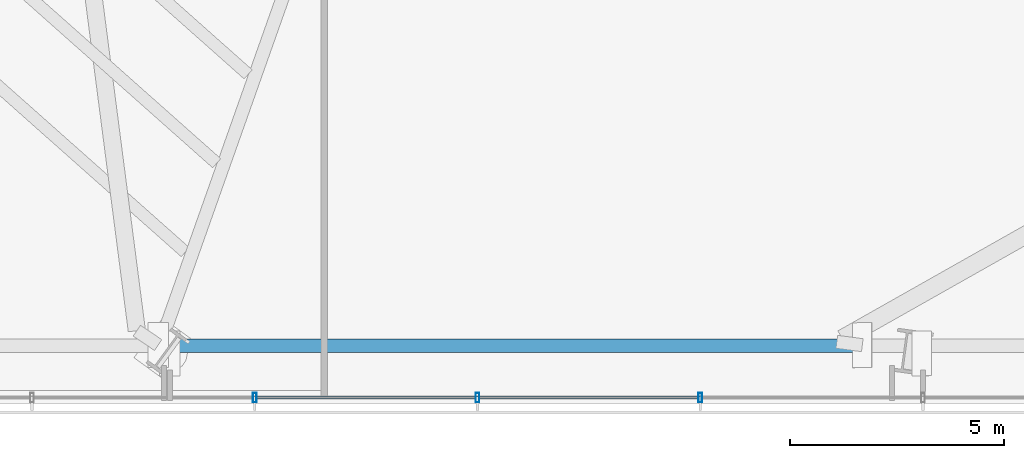
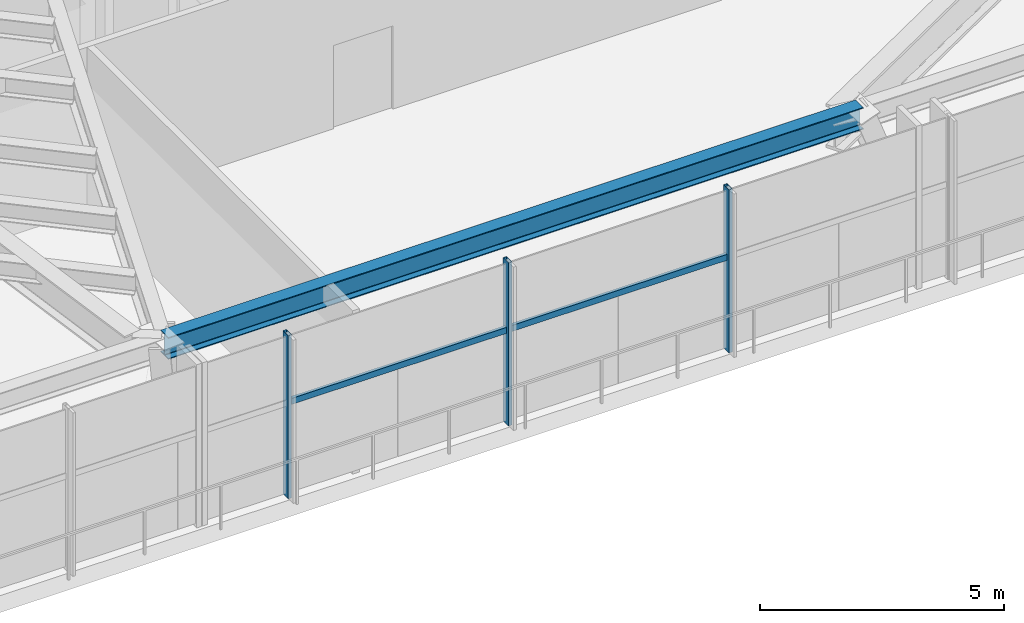
# One storey, part 6 of 33: 5 members, 1 beam, 1 element without a shape of its own.
"""IFC4 building model written with IfcOpenShell, lengths in metres."""

from ifc_helpers import new_model, si_unit, direction, frame, origin, origin_2d, place, context, subcontext, project, spatial, hollow_rectangle, i_section, extrude, source, transform, mapped, material, material_profile, profile_set, type_object, type_shapes, element, aggregate, save


model = new_model("IFC4")

# Units and contexts
model_context = context("Model", 3, precision=1e-05, world=origin(), true_north=direction((0.0, 1.0)))
body_context = subcontext(model_context, "Body", "Model", "MODEL_VIEW")
ifc_project = project(units=[si_unit("LENGTHUNIT", "METRE"), si_unit("AREAUNIT", "SQUARE_METRE"), si_unit("VOLUMEUNIT", "CUBIC_METRE"), si_unit("PLANEANGLEUNIT", "RADIAN"), si_unit("MASSUNIT", "GRAM", prefix="KILO")], contexts=[model_context])

# Site, building, storey
site_placement = place(None, origin())
site = spatial("IfcSite", under=ifc_project, at=site_placement, CompositionType="ELEMENT")
building_placement = place(site_placement, origin())
building = spatial("IfcBuilding", under=site, at=building_placement, Name="Astriad Promenade Condominiums", CompositionType="ELEMENT")
storey_placement = place(building_placement, frame((0.0, 0.0, 9.5)))
storey = spatial("IfcBuildingStorey", under=building, at=storey_placement, Name="L02", CompositionType="ELEMENT", Elevation=9.5)

# Beam
ifc_material_1 = material(Name="Steel ASTM A992 Grade 50", Category="steel")
ifc_material_profile_1 = material_profile(ifc_material_1, i_section(OverallWidth=0.3134765625, OverallDepth=0.54638671875, WebThickness=0.013916015625, FlangeThickness=0.022216796875, FilletRadius=0.0166015625, at=origin_2d()), Name="W21X111")
ifc_profile_set_1 = profile_set([ifc_material_profile_1], Name="Steel ASTM A992 Grade 50")
beam_type = type_object("IfcBeamType", Name="STEEL SPANDREL BEAM W21X111", PredefinedType="SPANDREL", material=ifc_profile_set_1)
shared_shape_1 = source(origin(), body_context, "Body", "SweptSolid", [
    extrude(i_section(OverallWidth=0.3134765625, OverallDepth=0.54638671875, WebThickness=0.013916015625, FlangeThickness=0.022216796875, FilletRadius=0.0166015625, at=origin_2d()), origin(), (0.0, 0.0, 1.0), 16.433837890625),
])
type_shapes(beam_type, [shared_shape_1])
beam_placement = place(storey_placement, frame((21.17333984375, 2.566650390625, 3.806884765625), z_axis=(1.0, 0.0, 0.0), x_axis=(0.0, 1.0, 0.0)))
element("IfcBeam", 1, at=beam_placement, inside=storey, type_object=beam_type, Name="Perimeter Spandrel Beam SP-S2-L02", PredefinedType="SPANDREL", context=body_context, shape_type="MappedRepresentation", body=[
    mapped(shared_shape_1, transform((0.0, 0.0, 0.0), scale=1.0)),
])

# Curtain wall, members
ifc_material_2 = material(Name="Anodised aluminium Black Dark Glass Unitised", Category="aluminium")
curtain_wall_type = type_object("IfcCurtainWallType", Name="CW-POD-DARK", PredefinedType="USERDEFINED", material=ifc_material_2)
curtain_wall_placement = place(storey_placement, origin())
curtain_wall = element("IfcCurtainWall", 2, at=curtain_wall_placement, inside=storey, type_object=curtain_wall_type, Name="CW-L02-S", ObjectType="UNITISED_CURTAIN_WALL", PredefinedType="USERDEFINED")
ifc_material_3 = material(Name="Anodised aluminium 6063-T6 Black", Category="aluminium")
ifc_material_profile_2 = material_profile(ifc_material_3, hollow_rectangle(XDim=0.0849609375, YDim=0.219970703125, WallThickness=0.0048828125, at=origin_2d()), Name="ALU-MUL-85X220")
ifc_profile_set_2 = profile_set([ifc_material_profile_2], Name="Anodised aluminium 6063-T6 Black")
member_type_1 = type_object("IfcMemberType", Name="MUL-ALU-MUL-85X220", PredefinedType="MULLION", material=ifc_profile_set_2)
shared_shape_2 = source(origin(), body_context, "Body", "SweptSolid", [
    extrude(hollow_rectangle(XDim=0.0849609375, YDim=0.219970703125, WallThickness=0.0048828125, at=origin_2d()), origin(), (0.0, 0.0, 1.0), 4.080078125),
])
type_shapes(member_type_1, [shared_shape_2])
member_1_placement = place(storey_placement, frame((33.791748046875, 1.35009765625, 0.0), z_axis=(0.0, 0.0, 1.0), x_axis=(1.0, 0.0, 0.0)))
member_1 = element("IfcMember", 3, at=member_1_placement, type_object=member_type_1, Name="CW-L02-S-MUL-07", PredefinedType="MULLION", context=body_context, shape_type="MappedRepresentation", body=[
    mapped(shared_shape_2, transform((0.0, 0.0, 0.0), scale=1.0)),
])
member_2_placement = place(storey_placement, frame((28.583251953125, 1.35009765625, 0.0), z_axis=(0.0, 0.0, 1.0), x_axis=(1.0, 0.0, 0.0)))
member_2 = element("IfcMember", 4, at=member_2_placement, type_object=member_type_1, Name="CW-L02-S-MUL-08", PredefinedType="MULLION", context=body_context, shape_type="MappedRepresentation", body=[
    mapped(shared_shape_2, transform((0.0, 0.0, 0.0), scale=1.0)),
])
member_3_placement = place(storey_placement, frame((23.375, 1.35009765625, 0.0), z_axis=(0.0, 0.0, 1.0), x_axis=(1.0, 0.0, 0.0)))
member_3 = element("IfcMember", 5, at=member_3_placement, type_object=member_type_1, Name="CW-L02-S-MUL-09", PredefinedType="MULLION", context=body_context, shape_type="MappedRepresentation", body=[
    mapped(shared_shape_2, transform((0.0, 0.0, 0.0), scale=1.0)),
])
ifc_material_profile_3 = material_profile(ifc_material_3, hollow_rectangle(XDim=0.074951171875, YDim=0.14990234375, WallThickness=0.004150390625, at=origin_2d()), Name="ALU-TRN-75X150")
ifc_profile_set_3 = profile_set([ifc_material_profile_3], Name="Anodised aluminium 6063-T6 Black")
member_type_2 = type_object("IfcMemberType", Name="TRN-ALU-TRN-75X150", PredefinedType="USERDEFINED", material=ifc_profile_set_3)
shared_shape_3 = source(origin(), body_context, "Body", "SweptSolid", [
    extrude(hollow_rectangle(XDim=0.074951171875, YDim=0.14990234375, WallThickness=0.004150390625, at=origin_2d()), origin(), (0.0, 0.0, 1.0), 5.208251953125),
])
member_4_placement = place(storey_placement, frame((28.583251953125, 1.35009765625, 2.35009765625), z_axis=(-1.0, 0.0, 0.0), x_axis=(0.0, -1.0, 0.0)))
member_4 = element("IfcMember", 6, at=member_4_placement, type_object=member_type_2, Name="CW-L02-S-TRN-08-0", ObjectType="TRANSOM", PredefinedType="USERDEFINED", context=body_context, shape_type="MappedRepresentation", body=[
    mapped(shared_shape_3, transform((0.0, 0.0, 0.0), scale=1.0)),
])
shared_shape_4 = source(origin(), body_context, "Body", "SweptSolid", [
    extrude(hollow_rectangle(XDim=0.074951171875, YDim=0.14990234375, WallThickness=0.004150390625, at=origin_2d()), origin(), (0.0, 0.0, 1.0), 5.20849609375),
])
type_shapes(member_type_2, [shared_shape_3, shared_shape_4])
member_5_placement = place(storey_placement, frame((33.791748046875, 1.35009765625, 2.35009765625), z_axis=(-1.0, 0.0, 0.0), x_axis=(0.0, -1.0, 0.0)))
member_5 = element("IfcMember", 7, at=member_5_placement, type_object=member_type_2, Name="CW-L02-S-TRN-07-0", ObjectType="TRANSOM", PredefinedType="USERDEFINED", context=body_context, shape_type="MappedRepresentation", body=[
    mapped(shared_shape_4, transform((0.0, 0.0, 0.0), scale=1.0)),
])
aggregate(curtain_wall, [member_1, member_2, member_3, member_5, member_4])

save(model, "model.ifc")
